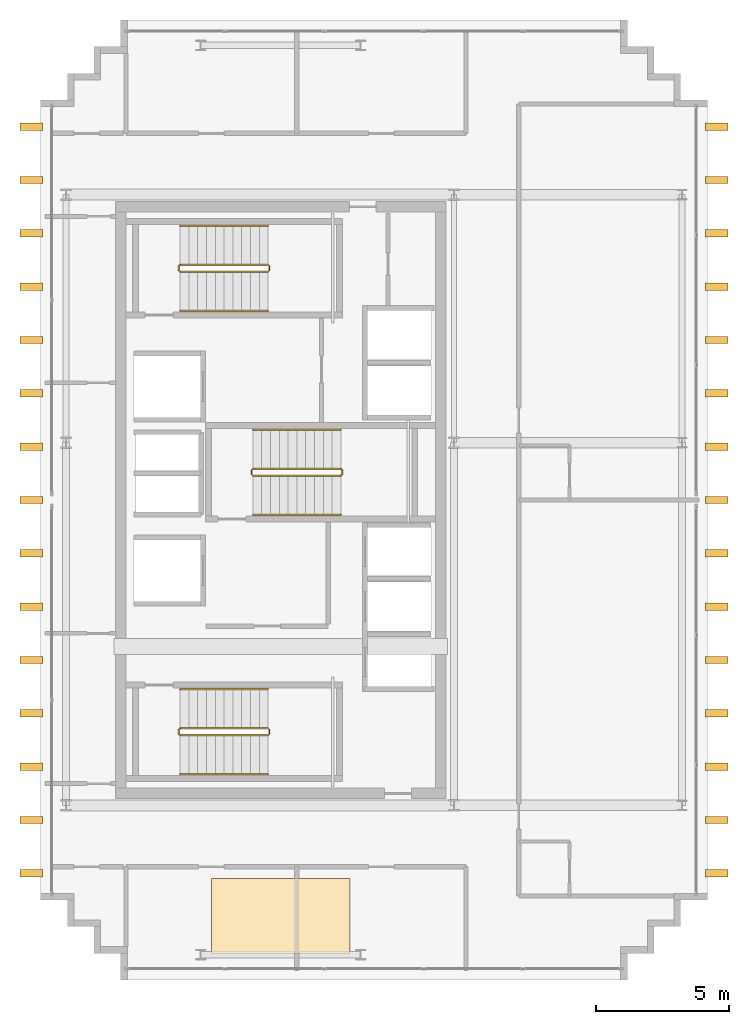
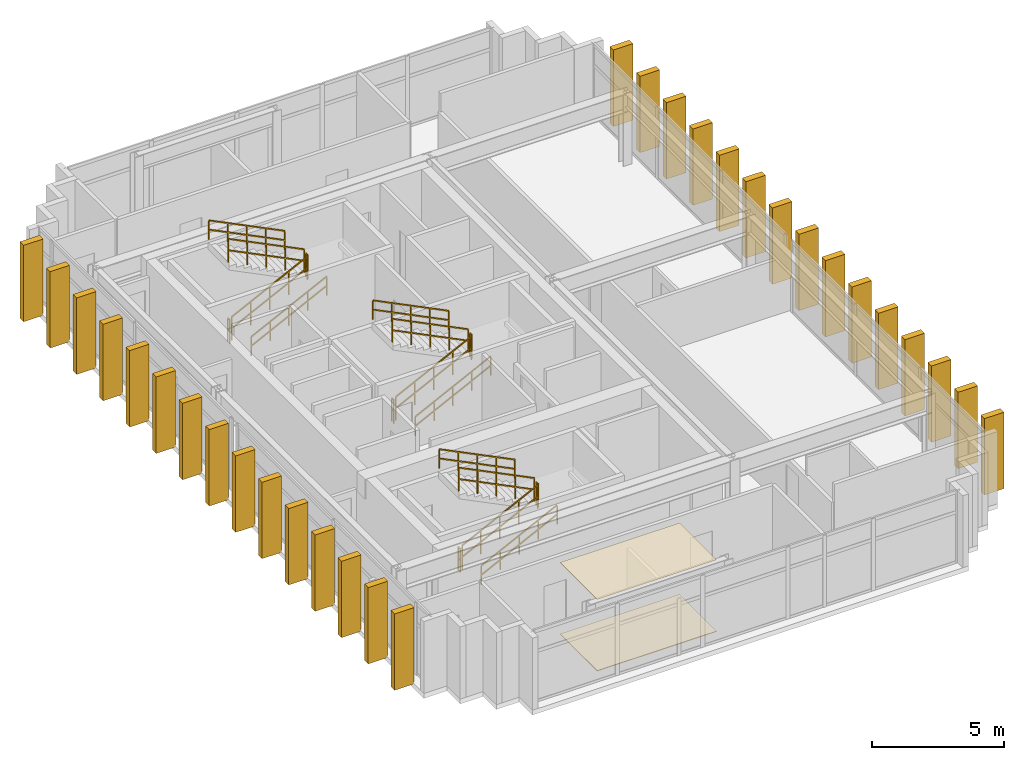
# One storey, part 15 of 15: 30 shading devices, 18 railings, 2 coverings.
"""IFC4 building model written with IfcOpenShell, lengths in metres."""

from ifc_helpers import new_model, si_unit, direction, frame, origin, origin_2d, place, context, subcontext, project, spatial, polyline, rectangle, outline, extrude, source, transform, mapped, material, layer, layer_set, type_object, element, save


model = new_model("IFC4")

# Units and contexts
model_context = context("Model", 3, precision=1e-05, world=origin(), true_north=direction((0.0, 1.0)))
body_context = subcontext(model_context, "Body", "Model", "MODEL_VIEW")
ifc_project = project(units=[si_unit("LENGTHUNIT", "METRE"), si_unit("AREAUNIT", "SQUARE_METRE"), si_unit("VOLUMEUNIT", "CUBIC_METRE"), si_unit("PLANEANGLEUNIT", "RADIAN"), si_unit("MASSUNIT", "GRAM", prefix="KILO")], contexts=[model_context])

# Site, building, storey
site_placement = place(None, origin())
site = spatial("IfcSite", under=ifc_project, at=site_placement, CompositionType="ELEMENT")
building_placement = place(site_placement, origin())
building = spatial("IfcBuilding", under=site, at=building_placement, Name="Ocotamira Hotel", CompositionType="ELEMENT")
storey_placement = place(building_placement, frame((0.0, 0.0, 297.60009765625)))
storey = spatial("IfcBuildingStorey", under=building, at=storey_placement, Name="L76", CompositionType="ELEMENT", Elevation=297.60009765625)

# Coverings
ifc_material_1 = material(Name="Perforated acoustic gypsum ceiling board", Category="gypsum")
ifc_layer_1 = layer(ifc_material_1, 0.02490234375)
ifc_layer_set_1 = layer_set([ifc_layer_1], Name="Perforated acoustic gypsum ceiling board")
covering_type_1 = type_object("IfcCoveringType", Name="COV-CEIL-25", PredefinedType="CEILING", material=ifc_layer_set_1)
covering_1_placement = place(storey_placement, frame((0.0, 0.0, 3.294921875)))
element("IfcCovering", 1, at=covering_1_placement, inside=storey, type_object=covering_type_1, Name="L76 Acoustic Ceiling", PredefinedType="CEILING", context=body_context, shape_type="SweptSolid", body=[
    extrude(outline(polyline([(14.39990234375, 9.0), (19.60009765625, 9.0), (19.60009765625, 11.800048828125), (14.39990234375, 11.800048828125), (14.39990234375, 9.0)])), origin(), (0.0, 0.0, 1.0), 0.02490234375),
])
ifc_material_2 = material(Name="Honed desert travertine stone flooring", Category="masonry")
ifc_layer_2 = layer(ifc_material_2, 0.030029296875)
ifc_layer_set_2 = layer_set([ifc_layer_2], Name="Honed desert travertine stone flooring")
covering_type_2 = type_object("IfcCoveringType", Name="COV-FLOR-30", PredefinedType="FLOORING", material=ifc_layer_set_2)
covering_2_placement = place(storey_placement, origin())
element("IfcCovering", 2, at=covering_2_placement, inside=storey, type_object=covering_type_2, Name="L76 Honed Stone Floor Finish", PredefinedType="FLOORING", context=body_context, shape_type="SweptSolid", body=[
    extrude(outline(polyline([(14.39990234375, 9.0), (19.60009765625, 9.0), (19.60009765625, 11.800048828125), (14.39990234375, 11.800048828125), (14.39990234375, 9.0)])), origin(), (0.0, 0.0, 1.0), 0.02978515625),
])

# Railings
ifc_material_3 = material(Name="Brushed stainless steel handrail", Category="steel")
railing_type_1 = type_object("IfcRailingType", Name="RL-HAND-900", PredefinedType="HANDRAIL", material=ifc_material_3)
railing_1_placement = place(storey_placement, frame((13.22998046875, 15.719970703125, 0.3271484375)))
element("IfcRailing", 3, at=railing_1_placement, inside=storey, type_object=railing_type_1, Name="L76 ST-1 stair handrail 1", PredefinedType="HANDRAIL", context=body_context, shape_type="SweptSolid", body=[
    extrude(rectangle(XDim=0.048095703125, YDim=0.048095703125, at=origin_2d()), frame((0.0, 0.0, 0.8759765625), z_axis=(0.895893744519, 0.0, 0.4442683857), x_axis=(0.0, 1.0, 0.0)), (0.0, 0.0, 1.0), 3.68359375),
    extrude(rectangle(XDim=0.048095703125, YDim=0.048095703125, at=origin_2d()), frame((0.0, 0.0, 0.449951171875), z_axis=(0.895893744519, 0.0, 0.4442683857), x_axis=(0.0, 1.0, 0.0)), (0.0, 0.0, 1.0), 3.68359375),
    extrude(rectangle(XDim=0.0419921875, YDim=0.0419921875, at=origin_2d()), origin(), (0.0, 0.0, 1.0), 0.851806640625),
    extrude(rectangle(XDim=0.0419921875, YDim=0.0419921875, at=origin_2d()), frame((0.824951171875, 0.0, 0.4091796875)), (0.0, 0.0, 1.0), 0.851806640625),
    extrude(rectangle(XDim=0.0419921875, YDim=0.0419921875, at=origin_2d()), frame((1.64990234375, 0.0, 0.818359375)), (0.0, 0.0, 1.0), 0.851806640625),
    extrude(rectangle(XDim=0.0419921875, YDim=0.0419921875, at=origin_2d()), frame((2.47509765625, 0.0, 1.227294921875)), (0.0, 0.0, 1.0), 0.851806640625),
    extrude(rectangle(XDim=0.0419921875, YDim=0.0419921875, at=origin_2d()), frame((3.300048828125, 0.0, 1.636474609375)), (0.0, 0.0, 1.0), 0.851806640625),
])
railing_2_placement = place(storey_placement, frame((16.530029296875, 18.89990234375, 2.127197265625)))
element("IfcRailing", 4, at=railing_2_placement, inside=storey, type_object=railing_type_1, Name="L76 ST-1 stair handrail 2", PredefinedType="HANDRAIL", context=body_context, shape_type="SweptSolid", body=[
    extrude(rectangle(XDim=0.048095703125, YDim=0.048095703125, at=origin_2d()), frame((0.0, 0.0, 0.8759765625), z_axis=(-0.895920123917, 0.0, 0.444215186098), x_axis=(0.0, -1.0, 0.0)), (0.0, 0.0, 1.0), 3.683349609375),
    extrude(rectangle(XDim=0.048095703125, YDim=0.048095703125, at=origin_2d()), frame((0.0, 0.0, 0.449951171875), z_axis=(-0.895920123917, 0.0, 0.444215186098), x_axis=(0.0, -1.0, 0.0)), (0.0, 0.0, 1.0), 3.683349609375),
    extrude(rectangle(XDim=0.0419921875, YDim=0.0419921875, at=origin_2d()), origin(), (0.0, 0.0, 1.0), 0.851806640625),
    extrude(rectangle(XDim=0.0419921875, YDim=0.0419921875, at=origin_2d()), frame((-0.824951171875, 0.0, 0.4091796875)), (0.0, 0.0, 1.0), 0.851806640625),
    extrude(rectangle(XDim=0.0419921875, YDim=0.0419921875, at=origin_2d()), frame((-1.64990234375, 0.0, 0.818115234375)), (0.0, 0.0, 1.0), 0.851806640625),
    extrude(rectangle(XDim=0.0419921875, YDim=0.0419921875, at=origin_2d()), frame((-2.47509765625, 0.0, 1.22705078125)), (0.0, 0.0, 1.0), 0.851806640625),
    extrude(rectangle(XDim=0.0419921875, YDim=0.0419921875, at=origin_2d()), frame((-3.300048828125, 0.0, 1.63623046875)), (0.0, 0.0, 1.0), 0.851806640625),
])
railing_3_placement = place(storey_placement, frame((13.22998046875, 33.10009765625, 0.3271484375)))
element("IfcRailing", 5, at=railing_3_placement, inside=storey, type_object=railing_type_1, Name="L76 ST-2 stair handrail 1", PredefinedType="HANDRAIL", context=body_context, shape_type="SweptSolid", body=[
    extrude(rectangle(XDim=0.048095703125, YDim=0.048095703125, at=origin_2d()), frame((0.0, 0.0, 0.8759765625), z_axis=(0.895893744519, 0.0, 0.4442683857), x_axis=(0.0, 1.0, 0.0)), (0.0, 0.0, 1.0), 3.68359375),
    extrude(rectangle(XDim=0.048095703125, YDim=0.048095703125, at=origin_2d()), frame((0.0, 0.0, 0.449951171875), z_axis=(0.895893744519, 0.0, 0.4442683857), x_axis=(0.0, 1.0, 0.0)), (0.0, 0.0, 1.0), 3.68359375),
    extrude(rectangle(XDim=0.0419921875, YDim=0.0419921875, at=origin_2d()), origin(), (0.0, 0.0, 1.0), 0.851806640625),
    extrude(rectangle(XDim=0.0419921875, YDim=0.0419921875, at=origin_2d()), frame((0.824951171875, 0.0, 0.4091796875)), (0.0, 0.0, 1.0), 0.851806640625),
    extrude(rectangle(XDim=0.0419921875, YDim=0.0419921875, at=origin_2d()), frame((1.64990234375, 0.0, 0.818359375)), (0.0, 0.0, 1.0), 0.851806640625),
    extrude(rectangle(XDim=0.0419921875, YDim=0.0419921875, at=origin_2d()), frame((2.47509765625, 0.0, 1.227294921875)), (0.0, 0.0, 1.0), 0.851806640625),
    extrude(rectangle(XDim=0.0419921875, YDim=0.0419921875, at=origin_2d()), frame((3.300048828125, 0.0, 1.636474609375)), (0.0, 0.0, 1.0), 0.851806640625),
])
railing_4_placement = place(storey_placement, frame((16.530029296875, 36.280029296875, 2.127197265625)))
element("IfcRailing", 6, at=railing_4_placement, inside=storey, type_object=railing_type_1, Name="L76 ST-2 stair handrail 2", PredefinedType="HANDRAIL", context=body_context, shape_type="SweptSolid", body=[
    extrude(rectangle(XDim=0.048095703125, YDim=0.048095703125, at=origin_2d()), frame((0.0, 0.0, 0.8759765625), z_axis=(-0.895920123917, 0.0, 0.444215186098), x_axis=(0.0, -1.0, 0.0)), (0.0, 0.0, 1.0), 3.683349609375),
    extrude(rectangle(XDim=0.048095703125, YDim=0.048095703125, at=origin_2d()), frame((0.0, 0.0, 0.449951171875), z_axis=(-0.895920123917, 0.0, 0.444215186098), x_axis=(0.0, -1.0, 0.0)), (0.0, 0.0, 1.0), 3.683349609375),
    extrude(rectangle(XDim=0.0419921875, YDim=0.0419921875, at=origin_2d()), origin(), (0.0, 0.0, 1.0), 0.851806640625),
    extrude(rectangle(XDim=0.0419921875, YDim=0.0419921875, at=origin_2d()), frame((-0.824951171875, 0.0, 0.4091796875)), (0.0, 0.0, 1.0), 0.851806640625),
    extrude(rectangle(XDim=0.0419921875, YDim=0.0419921875, at=origin_2d()), frame((-1.64990234375, 0.0, 0.818115234375)), (0.0, 0.0, 1.0), 0.851806640625),
    extrude(rectangle(XDim=0.0419921875, YDim=0.0419921875, at=origin_2d()), frame((-2.47509765625, 0.0, 1.22705078125)), (0.0, 0.0, 1.0), 0.851806640625),
    extrude(rectangle(XDim=0.0419921875, YDim=0.0419921875, at=origin_2d()), frame((-3.300048828125, 0.0, 1.63623046875)), (0.0, 0.0, 1.0), 0.851806640625),
])
railing_5_placement = place(storey_placement, frame((15.9599609375, 25.449951171875, 0.3271484375)))
element("IfcRailing", 7, at=railing_5_placement, inside=storey, type_object=railing_type_1, Name="L76 ST-3 stair handrail 1", PredefinedType="HANDRAIL", context=body_context, shape_type="SweptSolid", body=[
    extrude(rectangle(XDim=0.048095703125, YDim=0.048095703125, at=origin_2d()), frame((0.0, 0.0, 0.8759765625), z_axis=(0.895893744519, 0.0, 0.4442683857), x_axis=(0.0, 1.0, 0.0)), (0.0, 0.0, 1.0), 3.68359375),
    extrude(rectangle(XDim=0.048095703125, YDim=0.048095703125, at=origin_2d()), frame((0.0, 0.0, 0.449951171875), z_axis=(0.895893744519, 0.0, 0.4442683857), x_axis=(0.0, 1.0, 0.0)), (0.0, 0.0, 1.0), 3.68359375),
    extrude(rectangle(XDim=0.0419921875, YDim=0.0419921875, at=origin_2d()), origin(), (0.0, 0.0, 1.0), 0.851806640625),
    extrude(rectangle(XDim=0.0419921875, YDim=0.0419921875, at=origin_2d()), frame((0.824951171875, 0.0, 0.4091796875)), (0.0, 0.0, 1.0), 0.851806640625),
    extrude(rectangle(XDim=0.0419921875, YDim=0.0419921875, at=origin_2d()), frame((1.64990234375, 0.0, 0.818359375)), (0.0, 0.0, 1.0), 0.851806640625),
    extrude(rectangle(XDim=0.0419921875, YDim=0.0419921875, at=origin_2d()), frame((2.47509765625, 0.0, 1.227294921875)), (0.0, 0.0, 1.0), 0.851806640625),
    extrude(rectangle(XDim=0.0419921875, YDim=0.0419921875, at=origin_2d()), frame((3.300048828125, 0.0, 1.636474609375)), (0.0, 0.0, 1.0), 0.851806640625),
])
railing_6_placement = place(storey_placement, frame((19.260009765625, 28.6298828125, 2.127197265625)))
element("IfcRailing", 8, at=railing_6_placement, inside=storey, type_object=railing_type_1, Name="L76 ST-3 stair handrail 2", PredefinedType="HANDRAIL", context=body_context, shape_type="SweptSolid", body=[
    extrude(rectangle(XDim=0.048095703125, YDim=0.048095703125, at=origin_2d()), frame((0.0, 0.0, 0.8759765625), z_axis=(-0.895920123917, 0.0, 0.444215186098), x_axis=(0.0, -1.0, 0.0)), (0.0, 0.0, 1.0), 3.683349609375),
    extrude(rectangle(XDim=0.048095703125, YDim=0.048095703125, at=origin_2d()), frame((0.0, 0.0, 0.449951171875), z_axis=(-0.895920123917, 0.0, 0.444215186098), x_axis=(0.0, -1.0, 0.0)), (0.0, 0.0, 1.0), 3.683349609375),
    extrude(rectangle(XDim=0.0419921875, YDim=0.0419921875, at=origin_2d()), origin(), (0.0, 0.0, 1.0), 0.851806640625),
    extrude(rectangle(XDim=0.0419921875, YDim=0.0419921875, at=origin_2d()), frame((-0.824951171875, 0.0, 0.4091796875)), (0.0, 0.0, 1.0), 0.851806640625),
    extrude(rectangle(XDim=0.0419921875, YDim=0.0419921875, at=origin_2d()), frame((-1.64990234375, 0.0, 0.818115234375)), (0.0, 0.0, 1.0), 0.851806640625),
    extrude(rectangle(XDim=0.0419921875, YDim=0.0419921875, at=origin_2d()), frame((-2.47509765625, 0.0, 1.22705078125)), (0.0, 0.0, 1.0), 0.851806640625),
    extrude(rectangle(XDim=0.0419921875, YDim=0.0419921875, at=origin_2d()), frame((-3.300048828125, 0.0, 1.63623046875)), (0.0, 0.0, 1.0), 0.851806640625),
])
ifc_material_4 = material(Name="Painted steel stair guardrail", Category="steel")
railing_type_2 = type_object("IfcRailingType", Name="RL-STAIR-1100", PredefinedType="GUARDRAIL", material=ifc_material_4)
railing_7_placement = place(storey_placement, frame((13.22998046875, 17.179931640625, 0.16357421875)))
element("IfcRailing", 9, at=railing_7_placement, inside=storey, type_object=railing_type_2, Name="L76 ST-1 stair guard 1", PredefinedType="GUARDRAIL", context=body_context, shape_type="SweptSolid", body=[
    extrude(rectangle(XDim=0.048095703125, YDim=0.048095703125, at=origin_2d()), frame((0.0, 0.0, 1.076171875), z_axis=(0.895920123917, 0.0, 0.444215186098), x_axis=(0.0, 1.0, 0.0)), (0.0, 0.0, 1.0), 3.683349609375),
    extrude(rectangle(XDim=0.048095703125, YDim=0.048095703125, at=origin_2d()), frame((0.0, 0.0, 0.550048828125), z_axis=(0.895920123917, 0.0, 0.444215186098), x_axis=(0.0, 1.0, 0.0)), (0.0, 0.0, 1.0), 3.683349609375),
    extrude(rectangle(XDim=0.0419921875, YDim=0.0419921875, at=origin_2d()), origin(), (0.0, 0.0, 1.0), 1.052001953125),
    extrude(rectangle(XDim=0.0419921875, YDim=0.0419921875, at=origin_2d()), frame((0.824951171875, 0.0, 0.4091796875)), (0.0, 0.0, 1.0), 1.052001953125),
    extrude(rectangle(XDim=0.0419921875, YDim=0.0419921875, at=origin_2d()), frame((1.64990234375, 0.0, 0.818115234375)), (0.0, 0.0, 1.0), 1.052001953125),
    extrude(rectangle(XDim=0.0419921875, YDim=0.0419921875, at=origin_2d()), frame((2.47509765625, 0.0, 1.22705078125)), (0.0, 0.0, 1.0), 1.052001953125),
    extrude(rectangle(XDim=0.0419921875, YDim=0.0419921875, at=origin_2d()), frame((3.300048828125, 0.0, 1.63623046875)), (0.0, 0.0, 1.0), 1.052001953125),
])
railing_8_placement = place(storey_placement, frame((16.580078125, 17.22998046875, 1.7998046875)))
element("IfcRailing", 10, at=railing_8_placement, inside=storey, type_object=railing_type_2, Name="L76 ST-1 stair guard 2", PredefinedType="GUARDRAIL", context=body_context, shape_type="SweptSolid", body=[
    extrude(rectangle(XDim=0.048095703125, YDim=0.048095703125, at=origin_2d()), frame((0.0, 0.0, 1.076171875), z_axis=(0.0, 1.0, 0.0), x_axis=(-1.0, 0.0, 0.0)), (0.0, 0.0, 1.0), 0.159912109375),
    extrude(rectangle(XDim=0.048095703125, YDim=0.048095703125, at=origin_2d()), frame((0.0, 0.0, 0.550048828125), z_axis=(0.0, 1.0, 0.0), x_axis=(-1.0, 0.0, 0.0)), (0.0, 0.0, 1.0), 0.159912109375),
    extrude(rectangle(XDim=0.0419921875, YDim=0.0419921875, at=origin_2d()), origin(), (0.0, 0.0, 1.0), 1.052001953125),
    extrude(rectangle(XDim=0.0419921875, YDim=0.0419921875, at=origin_2d()), frame((0.0, 0.159912109375, 0.0)), (0.0, 0.0, 1.0), 1.052001953125),
])
railing_9_placement = place(storey_placement, frame((16.530029296875, 17.43994140625, 1.963623046875)))
element("IfcRailing", 11, at=railing_9_placement, inside=storey, type_object=railing_type_2, Name="L76 ST-1 stair guard 3", PredefinedType="GUARDRAIL", context=body_context, shape_type="SweptSolid", body=[
    extrude(rectangle(XDim=0.048095703125, YDim=0.048095703125, at=origin_2d()), frame((0.0, 0.0, 1.076171875), z_axis=(-0.895920123917, 0.0, 0.444215186098), x_axis=(0.0, -1.0, 0.0)), (0.0, 0.0, 1.0), 3.683349609375),
    extrude(rectangle(XDim=0.048095703125, YDim=0.048095703125, at=origin_2d()), frame((0.0, 0.0, 0.550048828125), z_axis=(-0.895920123917, 0.0, 0.444215186098), x_axis=(0.0, -1.0, 0.0)), (0.0, 0.0, 1.0), 3.683349609375),
    extrude(rectangle(XDim=0.0419921875, YDim=0.0419921875, at=origin_2d()), origin(), (0.0, 0.0, 1.0), 1.052001953125),
    extrude(rectangle(XDim=0.0419921875, YDim=0.0419921875, at=origin_2d()), frame((-0.824951171875, 0.0, 0.4091796875)), (0.0, 0.0, 1.0), 1.052001953125),
    extrude(rectangle(XDim=0.0419921875, YDim=0.0419921875, at=origin_2d()), frame((-1.64990234375, 0.0, 0.818115234375)), (0.0, 0.0, 1.0), 1.052001953125),
    extrude(rectangle(XDim=0.0419921875, YDim=0.0419921875, at=origin_2d()), frame((-2.47509765625, 0.0, 1.22705078125)), (0.0, 0.0, 1.0), 1.052001953125),
    extrude(rectangle(XDim=0.0419921875, YDim=0.0419921875, at=origin_2d()), frame((-3.300048828125, 0.0, 1.63623046875)), (0.0, 0.0, 1.0), 1.052001953125),
])
railing_10_placement = place(storey_placement, frame((13.179931640625, 17.22998046875, 0.0)))
element("IfcRailing", 12, at=railing_10_placement, inside=storey, type_object=railing_type_2, Name="L76 ST-1 stair guard 4", PredefinedType="GUARDRAIL", context=body_context, shape_type="SweptSolid", body=[
    extrude(rectangle(XDim=0.048095703125, YDim=0.048095703125, at=origin_2d()), frame((0.0, 0.0, 1.076171875), z_axis=(0.0, 1.0, 0.0), x_axis=(-1.0, 0.0, 0.0)), (0.0, 0.0, 1.0), 0.159912109375),
    extrude(rectangle(XDim=0.048095703125, YDim=0.048095703125, at=origin_2d()), frame((0.0, 0.0, 0.550048828125), z_axis=(0.0, 1.0, 0.0), x_axis=(-1.0, 0.0, 0.0)), (0.0, 0.0, 1.0), 0.159912109375),
    extrude(rectangle(XDim=0.0419921875, YDim=0.0419921875, at=origin_2d()), origin(), (0.0, 0.0, 1.0), 1.052001953125),
    extrude(rectangle(XDim=0.0419921875, YDim=0.0419921875, at=origin_2d()), frame((0.0, 0.159912109375, 0.0)), (0.0, 0.0, 1.0), 1.052001953125),
])
railing_11_placement = place(storey_placement, frame((13.22998046875, 34.56005859375, 0.16357421875)))
element("IfcRailing", 13, at=railing_11_placement, inside=storey, type_object=railing_type_2, Name="L76 ST-2 stair guard 1", PredefinedType="GUARDRAIL", context=body_context, shape_type="SweptSolid", body=[
    extrude(rectangle(XDim=0.048095703125, YDim=0.048095703125, at=origin_2d()), frame((0.0, 0.0, 1.076171875), z_axis=(0.895920123917, 0.0, 0.444215186098), x_axis=(0.0, 1.0, 0.0)), (0.0, 0.0, 1.0), 3.683349609375),
    extrude(rectangle(XDim=0.048095703125, YDim=0.048095703125, at=origin_2d()), frame((0.0, 0.0, 0.550048828125), z_axis=(0.895920123917, 0.0, 0.444215186098), x_axis=(0.0, 1.0, 0.0)), (0.0, 0.0, 1.0), 3.683349609375),
    extrude(rectangle(XDim=0.0419921875, YDim=0.0419921875, at=origin_2d()), origin(), (0.0, 0.0, 1.0), 1.052001953125),
    extrude(rectangle(XDim=0.0419921875, YDim=0.0419921875, at=origin_2d()), frame((0.824951171875, 0.0, 0.4091796875)), (0.0, 0.0, 1.0), 1.052001953125),
    extrude(rectangle(XDim=0.0419921875, YDim=0.0419921875, at=origin_2d()), frame((1.64990234375, 0.0, 0.818115234375)), (0.0, 0.0, 1.0), 1.052001953125),
    extrude(rectangle(XDim=0.0419921875, YDim=0.0419921875, at=origin_2d()), frame((2.47509765625, 0.0, 1.22705078125)), (0.0, 0.0, 1.0), 1.052001953125),
    extrude(rectangle(XDim=0.0419921875, YDim=0.0419921875, at=origin_2d()), frame((3.300048828125, 0.0, 1.63623046875)), (0.0, 0.0, 1.0), 1.052001953125),
])
railing_12_placement = place(storey_placement, frame((16.580078125, 34.610107421875, 1.7998046875)))
element("IfcRailing", 14, at=railing_12_placement, inside=storey, type_object=railing_type_2, Name="L76 ST-2 stair guard 2", PredefinedType="GUARDRAIL", context=body_context, shape_type="SweptSolid", body=[
    extrude(rectangle(XDim=0.048095703125, YDim=0.048095703125, at=origin_2d()), frame((0.0, 0.0, 1.076171875), z_axis=(0.0, 1.0, 0.0), x_axis=(-1.0, 0.0, 0.0)), (0.0, 0.0, 1.0), 0.159912109375),
    extrude(rectangle(XDim=0.048095703125, YDim=0.048095703125, at=origin_2d()), frame((0.0, 0.0, 0.550048828125), z_axis=(0.0, 1.0, 0.0), x_axis=(-1.0, 0.0, 0.0)), (0.0, 0.0, 1.0), 0.159912109375),
    extrude(rectangle(XDim=0.0419921875, YDim=0.0419921875, at=origin_2d()), origin(), (0.0, 0.0, 1.0), 1.052001953125),
    extrude(rectangle(XDim=0.0419921875, YDim=0.0419921875, at=origin_2d()), frame((0.0, 0.159912109375, 0.0)), (0.0, 0.0, 1.0), 1.052001953125),
])
railing_13_placement = place(storey_placement, frame((16.530029296875, 34.820068359375, 1.963623046875)))
element("IfcRailing", 15, at=railing_13_placement, inside=storey, type_object=railing_type_2, Name="L76 ST-2 stair guard 3", PredefinedType="GUARDRAIL", context=body_context, shape_type="SweptSolid", body=[
    extrude(rectangle(XDim=0.048095703125, YDim=0.048095703125, at=origin_2d()), frame((0.0, 0.0, 1.076171875), z_axis=(-0.895920123917, 0.0, 0.444215186098), x_axis=(0.0, -1.0, 0.0)), (0.0, 0.0, 1.0), 3.683349609375),
    extrude(rectangle(XDim=0.048095703125, YDim=0.048095703125, at=origin_2d()), frame((0.0, 0.0, 0.550048828125), z_axis=(-0.895920123917, 0.0, 0.444215186098), x_axis=(0.0, -1.0, 0.0)), (0.0, 0.0, 1.0), 3.683349609375),
    extrude(rectangle(XDim=0.0419921875, YDim=0.0419921875, at=origin_2d()), origin(), (0.0, 0.0, 1.0), 1.052001953125),
    extrude(rectangle(XDim=0.0419921875, YDim=0.0419921875, at=origin_2d()), frame((-0.824951171875, 0.0, 0.4091796875)), (0.0, 0.0, 1.0), 1.052001953125),
    extrude(rectangle(XDim=0.0419921875, YDim=0.0419921875, at=origin_2d()), frame((-1.64990234375, 0.0, 0.818115234375)), (0.0, 0.0, 1.0), 1.052001953125),
    extrude(rectangle(XDim=0.0419921875, YDim=0.0419921875, at=origin_2d()), frame((-2.47509765625, 0.0, 1.22705078125)), (0.0, 0.0, 1.0), 1.052001953125),
    extrude(rectangle(XDim=0.0419921875, YDim=0.0419921875, at=origin_2d()), frame((-3.300048828125, 0.0, 1.63623046875)), (0.0, 0.0, 1.0), 1.052001953125),
])
railing_14_placement = place(storey_placement, frame((13.179931640625, 34.610107421875, 0.0)))
element("IfcRailing", 16, at=railing_14_placement, inside=storey, type_object=railing_type_2, Name="L76 ST-2 stair guard 4", PredefinedType="GUARDRAIL", context=body_context, shape_type="SweptSolid", body=[
    extrude(rectangle(XDim=0.048095703125, YDim=0.048095703125, at=origin_2d()), frame((0.0, 0.0, 1.076171875), z_axis=(0.0, 1.0, 0.0), x_axis=(-1.0, 0.0, 0.0)), (0.0, 0.0, 1.0), 0.159912109375),
    extrude(rectangle(XDim=0.048095703125, YDim=0.048095703125, at=origin_2d()), frame((0.0, 0.0, 0.550048828125), z_axis=(0.0, 1.0, 0.0), x_axis=(-1.0, 0.0, 0.0)), (0.0, 0.0, 1.0), 0.159912109375),
    extrude(rectangle(XDim=0.0419921875, YDim=0.0419921875, at=origin_2d()), origin(), (0.0, 0.0, 1.0), 1.052001953125),
    extrude(rectangle(XDim=0.0419921875, YDim=0.0419921875, at=origin_2d()), frame((0.0, 0.159912109375, 0.0)), (0.0, 0.0, 1.0), 1.052001953125),
])
railing_15_placement = place(storey_placement, frame((15.9599609375, 26.909912109375, 0.16357421875)))
element("IfcRailing", 17, at=railing_15_placement, inside=storey, type_object=railing_type_2, Name="L76 ST-3 stair guard 1", PredefinedType="GUARDRAIL", context=body_context, shape_type="SweptSolid", body=[
    extrude(rectangle(XDim=0.048095703125, YDim=0.048095703125, at=origin_2d()), frame((0.0, 0.0, 1.076171875), z_axis=(0.895920123917, 0.0, 0.444215186098), x_axis=(0.0, 1.0, 0.0)), (0.0, 0.0, 1.0), 3.683349609375),
    extrude(rectangle(XDim=0.048095703125, YDim=0.048095703125, at=origin_2d()), frame((0.0, 0.0, 0.550048828125), z_axis=(0.895920123917, 0.0, 0.444215186098), x_axis=(0.0, 1.0, 0.0)), (0.0, 0.0, 1.0), 3.683349609375),
    extrude(rectangle(XDim=0.0419921875, YDim=0.0419921875, at=origin_2d()), origin(), (0.0, 0.0, 1.0), 1.052001953125),
    extrude(rectangle(XDim=0.0419921875, YDim=0.0419921875, at=origin_2d()), frame((0.824951171875, 0.0, 0.4091796875)), (0.0, 0.0, 1.0), 1.052001953125),
    extrude(rectangle(XDim=0.0419921875, YDim=0.0419921875, at=origin_2d()), frame((1.64990234375, 0.0, 0.818115234375)), (0.0, 0.0, 1.0), 1.052001953125),
    extrude(rectangle(XDim=0.0419921875, YDim=0.0419921875, at=origin_2d()), frame((2.47509765625, 0.0, 1.22705078125)), (0.0, 0.0, 1.0), 1.052001953125),
    extrude(rectangle(XDim=0.0419921875, YDim=0.0419921875, at=origin_2d()), frame((3.300048828125, 0.0, 1.63623046875)), (0.0, 0.0, 1.0), 1.052001953125),
])
railing_16_placement = place(storey_placement, frame((19.31005859375, 26.9599609375, 1.7998046875)))
element("IfcRailing", 18, at=railing_16_placement, inside=storey, type_object=railing_type_2, Name="L76 ST-3 stair guard 2", PredefinedType="GUARDRAIL", context=body_context, shape_type="SweptSolid", body=[
    extrude(rectangle(XDim=0.048095703125, YDim=0.048095703125, at=origin_2d()), frame((0.0, 0.0, 1.076171875), z_axis=(0.0, 1.0, 0.0), x_axis=(-1.0, 0.0, 0.0)), (0.0, 0.0, 1.0), 0.16015625),
    extrude(rectangle(XDim=0.048095703125, YDim=0.048095703125, at=origin_2d()), frame((0.0, 0.0, 0.550048828125), z_axis=(0.0, 1.0, 0.0), x_axis=(-1.0, 0.0, 0.0)), (0.0, 0.0, 1.0), 0.16015625),
    extrude(rectangle(XDim=0.0419921875, YDim=0.0419921875, at=origin_2d()), origin(), (0.0, 0.0, 1.0), 1.052001953125),
    extrude(rectangle(XDim=0.0419921875, YDim=0.0419921875, at=origin_2d()), frame((0.0, 0.16015625, 0.0)), (0.0, 0.0, 1.0), 1.052001953125),
])
railing_17_placement = place(storey_placement, frame((19.260009765625, 27.169921875, 1.963623046875)))
element("IfcRailing", 19, at=railing_17_placement, inside=storey, type_object=railing_type_2, Name="L76 ST-3 stair guard 3", PredefinedType="GUARDRAIL", context=body_context, shape_type="SweptSolid", body=[
    extrude(rectangle(XDim=0.048095703125, YDim=0.048095703125, at=origin_2d()), frame((0.0, 0.0, 1.076171875), z_axis=(-0.895920123917, 0.0, 0.444215186098), x_axis=(0.0, -1.0, 0.0)), (0.0, 0.0, 1.0), 3.683349609375),
    extrude(rectangle(XDim=0.048095703125, YDim=0.048095703125, at=origin_2d()), frame((0.0, 0.0, 0.550048828125), z_axis=(-0.895920123917, 0.0, 0.444215186098), x_axis=(0.0, -1.0, 0.0)), (0.0, 0.0, 1.0), 3.683349609375),
    extrude(rectangle(XDim=0.0419921875, YDim=0.0419921875, at=origin_2d()), origin(), (0.0, 0.0, 1.0), 1.052001953125),
    extrude(rectangle(XDim=0.0419921875, YDim=0.0419921875, at=origin_2d()), frame((-0.824951171875, 0.0, 0.4091796875)), (0.0, 0.0, 1.0), 1.052001953125),
    extrude(rectangle(XDim=0.0419921875, YDim=0.0419921875, at=origin_2d()), frame((-1.64990234375, 0.0, 0.818115234375)), (0.0, 0.0, 1.0), 1.052001953125),
    extrude(rectangle(XDim=0.0419921875, YDim=0.0419921875, at=origin_2d()), frame((-2.47509765625, 0.0, 1.22705078125)), (0.0, 0.0, 1.0), 1.052001953125),
    extrude(rectangle(XDim=0.0419921875, YDim=0.0419921875, at=origin_2d()), frame((-3.300048828125, 0.0, 1.63623046875)), (0.0, 0.0, 1.0), 1.052001953125),
])
railing_18_placement = place(storey_placement, frame((15.909912109375, 26.9599609375, 0.0)))
element("IfcRailing", 20, at=railing_18_placement, inside=storey, type_object=railing_type_2, Name="L76 ST-3 stair guard 4", PredefinedType="GUARDRAIL", context=body_context, shape_type="SweptSolid", body=[
    extrude(rectangle(XDim=0.048095703125, YDim=0.048095703125, at=origin_2d()), frame((0.0, 0.0, 1.076171875), z_axis=(0.0, 1.0, 0.0), x_axis=(-1.0, 0.0, 0.0)), (0.0, 0.0, 1.0), 0.16015625),
    extrude(rectangle(XDim=0.048095703125, YDim=0.048095703125, at=origin_2d()), frame((0.0, 0.0, 0.550048828125), z_axis=(0.0, 1.0, 0.0), x_axis=(-1.0, 0.0, 0.0)), (0.0, 0.0, 1.0), 0.16015625),
    extrude(rectangle(XDim=0.0419921875, YDim=0.0419921875, at=origin_2d()), origin(), (0.0, 0.0, 1.0), 1.052001953125),
    extrude(rectangle(XDim=0.0419921875, YDim=0.0419921875, at=origin_2d()), frame((0.0, 0.16015625, 0.0)), (0.0, 0.0, 1.0), 1.052001953125),
])

# Shading devices
ifc_material_5 = material(Name="Pale-metal anodised aluminium architectural fin", Category="aluminium")
shading_device_type = type_object("IfcShadingDeviceType", Name="SHD-PIER-850", PredefinedType="USERDEFINED", material=ifc_material_5)
shared_shape = source(origin(), body_context, "Body", "SweptSolid", [
    extrude(rectangle(XDim=0.85009765625, YDim=0.280029296875, at=origin_2d()), origin(), (0.0, 0.0, 1.0), 3.52001953125),
])
for number, where, z_axis, x_axis, name in (
    (21, (7.64990234375, 12.0, -0.10009765625), (0.0, 0.0, 1.0), (1.0, 0.0, 0.0), "L76 West Peak Vertical Pier X7 Y12"),
    (22, (33.35009765625, 12.0, -0.10009765625), (0.0, 0.0, 1.0), (1.0, 0.0, 0.0), "L76 West Peak Vertical Pier X33 Y12"),
    (23, (7.64990234375, 14.0, -0.10009765625), (0.0, 0.0, 1.0), (1.0, 0.0, 0.0), "L76 West Peak Vertical Pier X7 Y14"),
    (24, (33.35009765625, 14.0, -0.10009765625), (0.0, 0.0, 1.0), (1.0, 0.0, 0.0), "L76 West Peak Vertical Pier X33 Y14"),
    (25, (7.64990234375, 16.0, -0.10009765625), (0.0, 0.0, 1.0), (1.0, 0.0, 0.0), "L76 West Peak Vertical Pier X7 Y16"),
    (26, (33.35009765625, 16.0, -0.10009765625), (0.0, 0.0, 1.0), (1.0, 0.0, 0.0), "L76 West Peak Vertical Pier X33 Y16"),
    (27, (7.64990234375, 18.0, -0.10009765625), (0.0, 0.0, 1.0), (1.0, 0.0, 0.0), "L76 West Peak Vertical Pier X7 Y18"),
    (28, (33.35009765625, 18.0, -0.10009765625), (0.0, 0.0, 1.0), (1.0, 0.0, 0.0), "L76 West Peak Vertical Pier X33 Y18"),
    (29, (7.64990234375, 20.0, -0.10009765625), (0.0, 0.0, 1.0), (1.0, 0.0, 0.0), "L76 West Peak Vertical Pier X7 Y20"),
    (30, (33.35009765625, 20.0, -0.10009765625), (0.0, 0.0, 1.0), (1.0, 0.0, 0.0), "L76 West Peak Vertical Pier X33 Y20"),
    (31, (7.64990234375, 22.0, -0.10009765625), (0.0, 0.0, 1.0), (1.0, 0.0, 0.0), "L76 West Peak Vertical Pier X7 Y22"),
    (32, (33.35009765625, 22.0, -0.10009765625), (0.0, 0.0, 1.0), (1.0, 0.0, 0.0), "L76 West Peak Vertical Pier X33 Y22"),
    (33, (7.64990234375, 24.0, -0.10009765625), (0.0, 0.0, 1.0), (1.0, 0.0, 0.0), "L76 West Peak Vertical Pier X7 Y24"),
    (34, (33.35009765625, 24.0, -0.10009765625), (0.0, 0.0, 1.0), (1.0, 0.0, 0.0), "L76 West Peak Vertical Pier X33 Y24"),
    (35, (7.64990234375, 26.0, -0.10009765625), (0.0, 0.0, 1.0), (1.0, 0.0, 0.0), "L76 West Peak Vertical Pier X7 Y26"),
    (36, (33.35009765625, 26.0, -0.10009765625), (0.0, 0.0, 1.0), (1.0, 0.0, 0.0), "L76 West Peak Vertical Pier X33 Y26"),
    (37, (7.64990234375, 28.0, -0.10009765625), (0.0, 0.0, 1.0), (1.0, 0.0, 0.0), "L76 West Peak Vertical Pier X7 Y28"),
    (38, (33.35009765625, 28.0, -0.10009765625), (0.0, 0.0, 1.0), (1.0, 0.0, 0.0), "L76 West Peak Vertical Pier X33 Y28"),
    (39, (7.64990234375, 30.0, -0.10009765625), (0.0, 0.0, 1.0), (1.0, 0.0, 0.0), "L76 West Peak Vertical Pier X7 Y30"),
    (40, (33.35009765625, 30.0, -0.10009765625), (0.0, 0.0, 1.0), (1.0, 0.0, 0.0), "L76 West Peak Vertical Pier X33 Y30"),
    (41, (7.64990234375, 32.0, -0.10009765625), (0.0, 0.0, 1.0), (1.0, 0.0, 0.0), "L76 West Peak Vertical Pier X7 Y32"),
    (42, (33.35009765625, 32.0, -0.10009765625), (0.0, 0.0, 1.0), (1.0, 0.0, 0.0), "L76 West Peak Vertical Pier X33 Y32"),
    (43, (7.64990234375, 34.0, -0.10009765625), (0.0, 0.0, 1.0), (1.0, 0.0, 0.0), "L76 West Peak Vertical Pier X7 Y34"),
    (44, (33.35009765625, 34.0, -0.10009765625), (0.0, 0.0, 1.0), (1.0, 0.0, 0.0), "L76 West Peak Vertical Pier X33 Y34"),
    (45, (7.64990234375, 36.0, -0.10009765625), (0.0, 0.0, 1.0), (1.0, 0.0, 0.0), "L76 West Peak Vertical Pier X7 Y36"),
    (46, (33.35009765625, 36.0, -0.10009765625), (0.0, 0.0, 1.0), (1.0, 0.0, 0.0), "L76 West Peak Vertical Pier X33 Y36"),
    (47, (7.64990234375, 38.0, -0.10009765625), (0.0, 0.0, 1.0), (1.0, 0.0, 0.0), "L76 West Peak Vertical Pier X7 Y38"),
    (48, (33.35009765625, 38.0, -0.10009765625), (0.0, 0.0, 1.0), (1.0, 0.0, 0.0), "L76 West Peak Vertical Pier X33 Y38"),
    (49, (7.64990234375, 40.0, -0.10009765625), (0.0, 0.0, 1.0), (1.0, 0.0, 0.0), "L76 West Peak Vertical Pier X7 Y40"),
    (50, (33.35009765625, 40.0, -0.10009765625), (0.0, 0.0, 1.0), (1.0, 0.0, 0.0), "L76 West Peak Vertical Pier X33 Y40"),
):
    element("IfcShadingDevice", number, at=place(storey_placement, frame(where, z_axis=z_axis, x_axis=x_axis)), inside=storey, type_object=shading_device_type, Name=name, ObjectType="FIN", PredefinedType="USERDEFINED", context=body_context, shape_type="MappedRepresentation", body=[
        mapped(shared_shape, transform((0.0, 0.0, 0.0), scale=1.0)),
    ])

save(model, "model.ifc")
